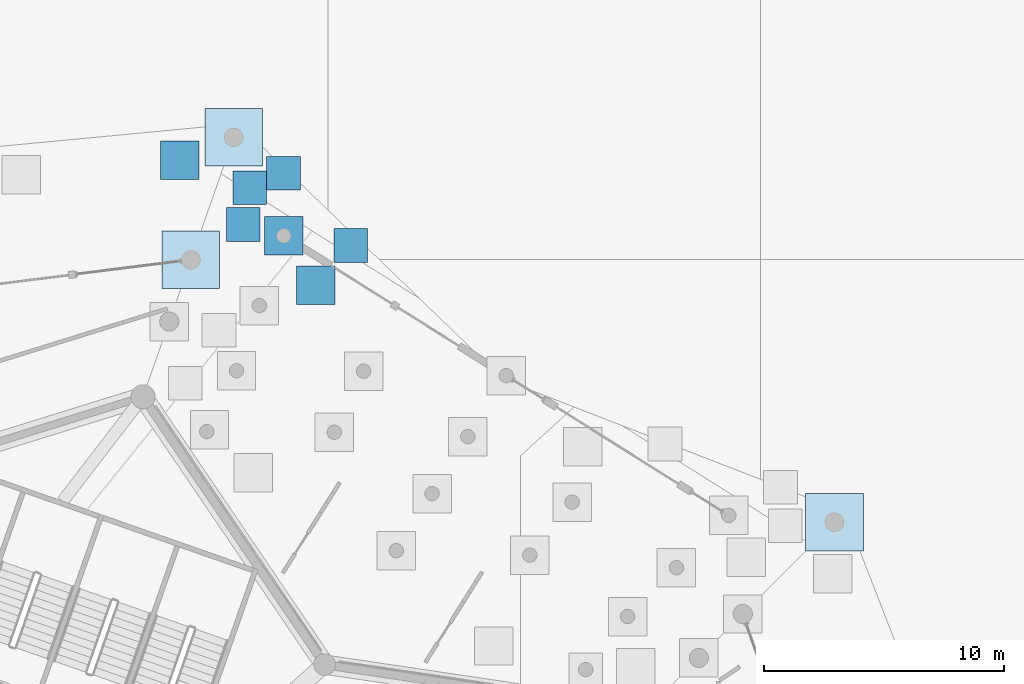
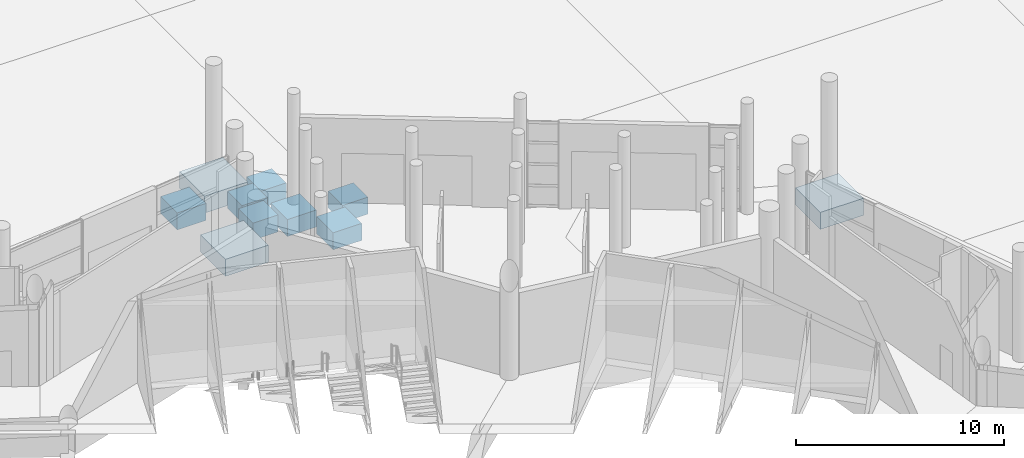
# One storey, part 9 of 255: 10 footings.
"""IFC4 building model written with IfcOpenShell, lengths in metres."""

from ifc_helpers import new_model, si_unit, direction, frame, origin, place, context, subcontext, project, spatial, polyline, outline, extrude, material, type_object, element, save


model = new_model("IFC4")

# Units and contexts
model_context = context("Model", 3, precision=1e-05, world=origin(), true_north=direction((0.0, 1.0)))
body_context = subcontext(model_context, "Body", "Model", "MODEL_VIEW")
ifc_project = project(units=[si_unit("LENGTHUNIT", "METRE"), si_unit("AREAUNIT", "SQUARE_METRE"), si_unit("VOLUMEUNIT", "CUBIC_METRE"), si_unit("PLANEANGLEUNIT", "RADIAN"), si_unit("MASSUNIT", "GRAM", prefix="KILO")], contexts=[model_context])

# Site, building, storey
site_placement = place(None, origin())
site = spatial("IfcSite", under=ifc_project, at=site_placement, CompositionType="ELEMENT")
building_placement = place(site_placement, origin())
building = spatial("IfcBuilding", under=site, at=building_placement, Name="Meseta Stadium", CompositionType="ELEMENT")
storey_placement = place(building_placement, origin())
storey = spatial("IfcBuildingStorey", under=building, at=storey_placement, Name="L00", CompositionType="ELEMENT", Elevation=0.0)

# Footings
ifc_material_1 = material(Name="Concrete C30/37", Category="concrete")
footing_type_1 = type_object("IfcFootingType", Name="Gate pad footing 1400", PredefinedType="PAD_FOOTING", material=ifc_material_1)
footing_1_placement = place(storey_placement, frame((0.0, 0.0, -1.300048828125)))
element("IfcFooting", 1, at=footing_1_placement, inside=storey, type_object=footing_type_1, Name="Paving pad footing", PredefinedType="PAD_FOOTING", context=body_context, shape_type="SweptSolid", body=[
    extrude(outline(polyline([(73.64599609375, 107.888916015625), (73.64599609375, 109.2890625), (72.24609375, 109.2890625), (72.24609375, 107.888916015625), (73.64599609375, 107.888916015625)])), origin(), (0.0, 0.0, 1.0), 1.0),
])
footing_2_placement = place(storey_placement, frame((0.0, 0.0, -1.300048828125)))
element("IfcFooting", 2, at=footing_2_placement, inside=storey, type_object=footing_type_1, Name="Paving pad footing", PredefinedType="PAD_FOOTING", context=body_context, shape_type="SweptSolid", body=[
    extrude(outline(polyline([(69.446044921875, 110.2890625), (69.446044921875, 111.68896484375), (68.0458984375, 111.68896484375), (68.0458984375, 110.2890625), (69.446044921875, 110.2890625)])), origin(), (0.0, 0.0, 1.0), 1.0),
])
footing_3_placement = place(storey_placement, frame((0.0, 0.0, -1.300048828125)))
element("IfcFooting", 3, at=footing_3_placement, inside=storey, type_object=footing_type_1, Name="Paving pad footing", PredefinedType="PAD_FOOTING", context=body_context, shape_type="SweptSolid", body=[
    extrude(outline(polyline([(70.845947265625, 110.888916015625), (70.845947265625, 112.2890625), (69.446044921875, 112.2890625), (69.446044921875, 110.888916015625), (70.845947265625, 110.888916015625)])), origin(), (0.0, 0.0, 1.0), 1.0),
])
footing_4_placement = place(storey_placement, frame((0.0, 0.0, -1.300048828125)))
element("IfcFooting", 4, at=footing_4_placement, inside=storey, type_object=footing_type_1, Name="Paving pad footing", PredefinedType="PAD_FOOTING", context=body_context, shape_type="SweptSolid", body=[
    extrude(outline(polyline([(69.1630859375, 108.759033203125), (69.1630859375, 110.158935546875), (67.762939453125, 110.158935546875), (67.762939453125, 108.759033203125), (69.1630859375, 108.759033203125)])), origin(), (0.0, 0.0, 1.0), 1.0),
])
ifc_material_2 = material(Name="Concrete C30/37", Category="concrete")
footing_type_2 = type_object("IfcFootingType", Name="Gate pad footing 1600", PredefinedType="PAD_FOOTING", material=ifc_material_2)
footing_5_placement = place(storey_placement, frame((0.0, 0.0, -1.300048828125)))
element("IfcFooting", 5, at=footing_5_placement, inside=storey, type_object=footing_type_2, Name="Gate 2 pad footing", PredefinedType="PAD_FOOTING", context=body_context, shape_type="SweptSolid", body=[
    extrude(outline(polyline([(70.953857421875, 108.19140625), (70.953857421875, 109.79150390625), (69.353759765625, 109.79150390625), (69.353759765625, 108.19140625), (70.953857421875, 108.19140625)])), origin(), (0.0, 0.0, 1.0), 1.0),
])
ifc_material_3 = material(Name="Concrete C30/37", Category="concrete")
footing_type_3 = type_object("IfcFootingType", Name="Ring pad footing 1600", PredefinedType="PAD_FOOTING", material=ifc_material_3)
footing_6_placement = place(storey_placement, frame((0.0, 0.0, -1.300048828125)))
element("IfcFooting", 6, at=footing_6_placement, inside=storey, type_object=footing_type_3, Name="Paving pad footing", PredefinedType="PAD_FOOTING", context=body_context, shape_type="SweptSolid", body=[
    extrude(outline(polyline([(72.2919921875, 106.1240234375), (72.2919921875, 107.72412109375), (70.69189453125, 107.72412109375), (70.69189453125, 106.1240234375), (72.2919921875, 106.1240234375)])), origin(), (0.0, 0.0, 1.0), 1.0),
])
footing_7_placement = place(storey_placement, frame((0.0, 0.0, -1.300048828125)))
element("IfcFooting", 7, at=footing_7_placement, inside=storey, type_object=footing_type_3, Name="Paving pad footing", PredefinedType="PAD_FOOTING", context=body_context, shape_type="SweptSolid", body=[
    extrude(outline(polyline([(66.6298828125, 111.3310546875), (66.6298828125, 112.930908203125), (65.030029296875, 112.930908203125), (65.030029296875, 111.3310546875), (66.6298828125, 111.3310546875)])), origin(), (0.0, 0.0, 1.0), 1.0),
])
ifc_material_4 = material(Name="Concrete C30/37", Category="concrete")
footing_type_4 = type_object("IfcFootingType", Name="Ring pad footing 2400", PredefinedType="PAD_FOOTING", material=ifc_material_4)
footing_8_placement = place(storey_placement, frame((0.0, 0.0, -1.300048828125)))
element("IfcFooting", 8, at=footing_8_placement, inside=storey, type_object=footing_type_4, Name="Ring pad footing F12O", PredefinedType="PAD_FOOTING", context=body_context, shape_type="SweptSolid", body=[
    extrude(outline(polyline([(94.273193359375, 95.873291015625), (94.273193359375, 98.273193359375), (91.873291015625, 98.273193359375), (91.873291015625, 95.873291015625), (94.273193359375, 95.873291015625)])), origin(), (0.0, 0.0, 1.0), 1.0),
])
footing_9_placement = place(storey_placement, frame((0.0, 0.0, -1.300048828125)))
element("IfcFooting", 9, at=footing_9_placement, inside=storey, type_object=footing_type_4, Name="Ring pad footing F14Q", PredefinedType="PAD_FOOTING", context=body_context, shape_type="SweptSolid", body=[
    extrude(outline(polyline([(67.49169921875, 106.789794921875), (67.49169921875, 109.18994140625), (65.091552734375, 109.18994140625), (65.091552734375, 106.789794921875), (67.49169921875, 106.789794921875)])), origin(), (0.0, 0.0, 1.0), 1.0),
])
footing_10_placement = place(storey_placement, frame((0.0, 0.0, -1.300048828125)))
element("IfcFooting", 10, at=footing_10_placement, inside=storey, type_object=footing_type_4, Name="Ring pad footing F14O", PredefinedType="PAD_FOOTING", context=body_context, shape_type="SweptSolid", body=[
    extrude(outline(polyline([(69.275146484375, 111.886962890625), (69.275146484375, 114.286865234375), (66.875, 114.286865234375), (66.875, 111.886962890625), (69.275146484375, 111.886962890625)])), origin(), (0.0, 0.0, 1.0), 1.0),
])

save(model, "model.ifc")
